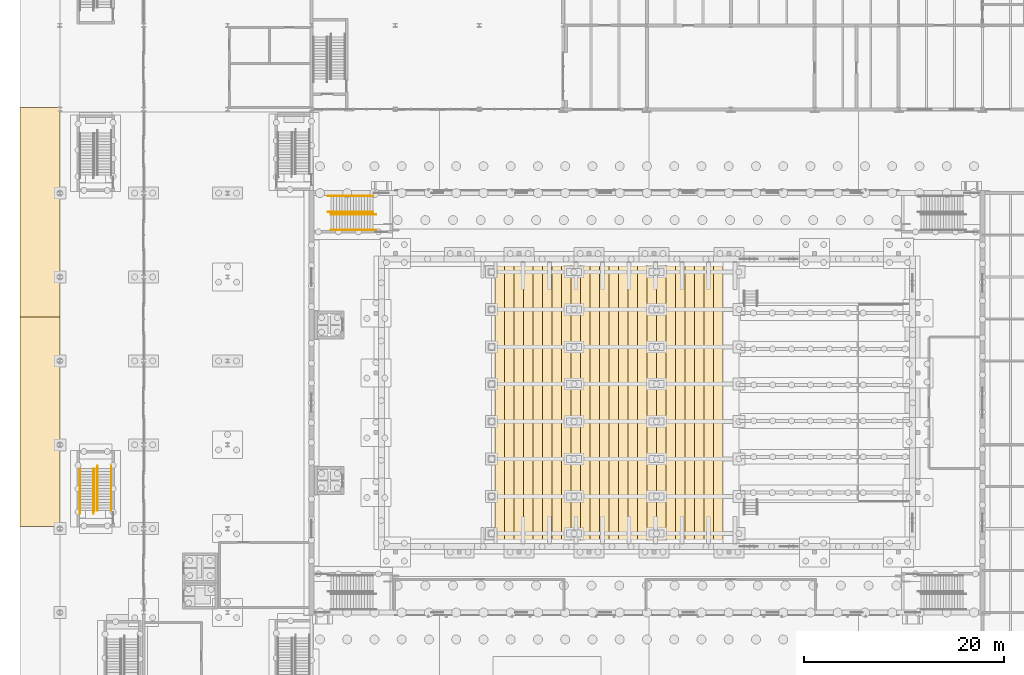
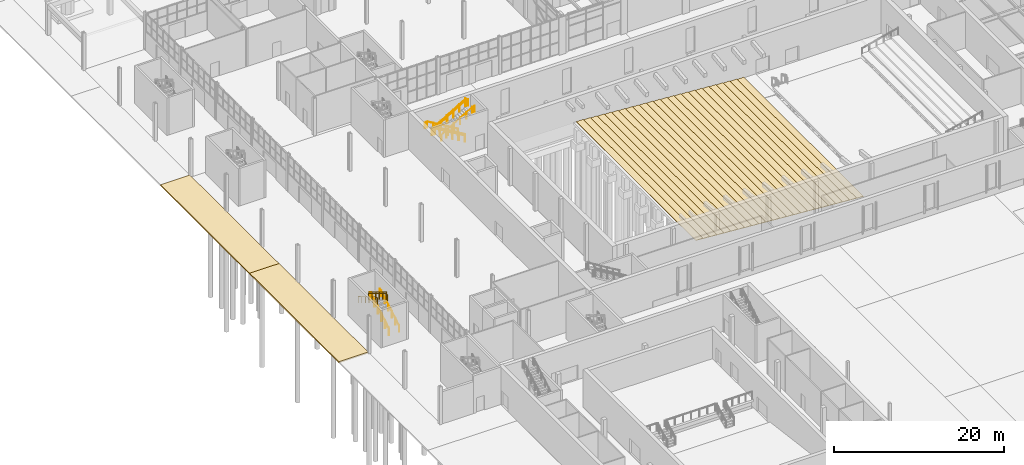
# One storey, part 105 of 127: 12 railings, 3 coverings.
"""IFC4 building model written with IfcOpenShell, lengths in metres."""

from ifc_helpers import new_model, si_unit, direction, frame, origin, origin_2d, place, context, subcontext, project, spatial, polyline, circle, outline, extrude, material, layer, layer_set, type_object, element, save


model = new_model("IFC4")

# Units and contexts
model_context = context("Model", 3, precision=1e-05, world=origin(), true_north=direction((0.0, 1.0)))
body_context = subcontext(model_context, "Body", "Model", "MODEL_VIEW")
ifc_project = project(units=[si_unit("LENGTHUNIT", "METRE"), si_unit("AREAUNIT", "SQUARE_METRE"), si_unit("VOLUMEUNIT", "CUBIC_METRE"), si_unit("PLANEANGLEUNIT", "RADIAN"), si_unit("MASSUNIT", "GRAM", prefix="KILO")], contexts=[model_context])

# Site, building, storey
site_placement = place(None, origin())
site = spatial("IfcSite", under=ifc_project, at=site_placement, CompositionType="ELEMENT")
building_placement = place(site_placement, origin())
building = spatial("IfcBuilding", under=site, at=building_placement, Name="Ljudholm Concert House", CompositionType="ELEMENT")
storey_placement = place(building_placement, origin())
storey = spatial("IfcBuildingStorey", under=building, at=storey_placement, Name="L00", CompositionType="ELEMENT", Elevation=0.0)

# Railings
ifc_material_1 = material(Name="Steel ASTM A36", Category="steel")
railing_type_1 = type_object("IfcRailingType", Name="GUARD 1100", PredefinedType="GUARDRAIL", material=ifc_material_1)
railing_1_placement = place(storey_placement, frame((35.35009765625, 94.47509765625, 0.168701171875)))
element("IfcRailing", 1, at=railing_1_placement, inside=storey, type_object=railing_type_1, Name="Guard", PredefinedType="GUARDRAIL", context=body_context, shape_type="SweptSolid", body=[
    extrude(circle(Radius=0.02490234375, at=origin_2d()), frame((0.0, 0.0, 1.0751953125), z_axis=(-0.856459004192, 0.0, 0.516215046409), x_axis=(0.0, -1.0, 0.0)), (0.0, 0.0, 1.0), 0.98095703125),
    extrude(circle(Radius=0.02490234375, at=origin_2d()), frame((-0.840087890625, 0.0, 1.58154296875), z_axis=(-0.856569041035, 0.0, 0.516032438845), x_axis=(0.0, -1.0, 0.0)), (0.0, 0.0, 1.0), 0.980712890625),
    extrude(circle(Radius=0.02490234375, at=origin_2d()), frame((-1.68017578125, 0.0, 2.08740234375), z_axis=(-0.856392657067, 0.0, 0.516325107778), x_axis=(0.0, -1.0, 0.0)), (0.0, 0.0, 1.0), 0.980712890625),
    extrude(circle(Radius=0.02490234375, at=origin_2d()), frame((-2.52001953125, 0.0, 2.59375), z_axis=(-0.856459004192, 0.0, 0.516215046409), x_axis=(0.0, -1.0, 0.0)), (0.0, 0.0, 1.0), 0.98095703125),
    extrude(circle(Radius=0.02490234375, at=origin_2d()), frame((-3.360107421875, 0.0, 3.10009765625), z_axis=(-0.856569041035, 0.0, 0.516032438845), x_axis=(0.0, -1.0, 0.0)), (0.0, 0.0, 1.0), 0.980712890625),
    extrude(circle(Radius=0.02099609375, at=origin_2d()), origin(), (0.0, 0.0, 1.0), 1.050048828125),
    extrude(circle(Radius=0.02099609375, at=origin_2d()), frame((-0.840087890625, 0.0, 0.50634765625)), (0.0, 0.0, 1.0), 1.050048828125),
    extrude(circle(Radius=0.02099609375, at=origin_2d()), frame((-1.68017578125, 0.0, 1.012451171875)), (0.0, 0.0, 1.0), 1.050048828125),
    extrude(circle(Radius=0.02099609375, at=origin_2d()), frame((-2.52001953125, 0.0, 1.518798828125)), (0.0, 0.0, 1.0), 1.050048828125),
    extrude(circle(Radius=0.02099609375, at=origin_2d()), frame((-3.360107421875, 0.0, 2.025146484375)), (0.0, 0.0, 1.0), 1.050048828125),
    extrude(circle(Radius=0.02099609375, at=origin_2d()), frame((-4.2001953125, 0.0, 2.53125)), (0.0, 0.0, 1.0), 1.050048828125),
])
railing_2_placement = place(storey_placement, frame((31.14990234375, 94.324951171875, 2.86865234375)))
element("IfcRailing", 2, at=railing_2_placement, inside=storey, type_object=railing_type_1, Name="Guard", PredefinedType="GUARDRAIL", context=body_context, shape_type="SweptSolid", body=[
    extrude(circle(Radius=0.02490234375, at=origin_2d()), frame((0.0, 0.0, 1.0751953125), z_axis=(0.856459004192, 0.0, 0.516215046409), x_axis=(0.0, 1.0, 0.0)), (0.0, 0.0, 1.0), 0.98095703125),
    extrude(circle(Radius=0.02490234375, at=origin_2d()), frame((0.840087890625, 0.0, 1.58154296875), z_axis=(0.856459004192, 0.0, 0.516215046409), x_axis=(0.0, 1.0, 0.0)), (0.0, 0.0, 1.0), 0.98095703125),
    extrude(circle(Radius=0.02490234375, at=origin_2d()), frame((1.68017578125, 0.0, 2.087890625), z_axis=(0.856502732318, 0.0, 0.516142489563), x_axis=(0.0, 1.0, 0.0)), (0.0, 0.0, 1.0), 0.98046875),
    extrude(circle(Radius=0.02490234375, at=origin_2d()), frame((2.52001953125, 0.0, 2.59375), z_axis=(0.856459004192, 0.0, 0.516215046409), x_axis=(0.0, 1.0, 0.0)), (0.0, 0.0, 1.0), 0.98095703125),
    extrude(circle(Radius=0.02490234375, at=origin_2d()), frame((3.360107421875, 0.0, 3.10009765625), z_axis=(0.856569041035, 0.0, 0.516032438845), x_axis=(0.0, 1.0, 0.0)), (0.0, 0.0, 1.0), 0.980712890625),
    extrude(circle(Radius=0.02099609375, at=origin_2d()), origin(), (0.0, 0.0, 1.0), 1.050048828125),
    extrude(circle(Radius=0.02099609375, at=origin_2d()), frame((0.840087890625, 0.0, 0.50634765625)), (0.0, 0.0, 1.0), 1.050048828125),
    extrude(circle(Radius=0.02099609375, at=origin_2d()), frame((1.68017578125, 0.0, 1.0126953125)), (0.0, 0.0, 1.0), 1.050048828125),
    extrude(circle(Radius=0.02099609375, at=origin_2d()), frame((2.52001953125, 0.0, 1.518798828125)), (0.0, 0.0, 1.0), 1.050048828125),
    extrude(circle(Radius=0.02099609375, at=origin_2d()), frame((3.360107421875, 0.0, 2.025146484375)), (0.0, 0.0, 1.0), 1.050048828125),
    extrude(circle(Radius=0.02099609375, at=origin_2d()), frame((4.2001953125, 0.0, 2.53125)), (0.0, 0.0, 1.0), 1.050048828125),
])
railing_3_placement = place(storey_placement, frame((7.72509765625, 64.60009765625, 0.168701171875)))
element("IfcRailing", 3, at=railing_3_placement, inside=storey, type_object=railing_type_1, Name="Guard", PredefinedType="GUARDRAIL", context=body_context, shape_type="SweptSolid", body=[
    extrude(circle(Radius=0.02490234375, at=origin_2d()), frame((0.0, 0.0, 1.0751953125), z_axis=(0.0, 0.856392657067, 0.516325107778), x_axis=(-1.0, 0.0, 0.0)), (0.0, 0.0, 1.0), 0.980712890625),
    extrude(circle(Radius=0.02490234375, at=origin_2d()), frame((0.0, 0.83984375, 1.58154296875), z_axis=(0.0, 0.856569041035, 0.516032438845), x_axis=(-1.0, 0.0, 0.0)), (0.0, 0.0, 1.0), 0.980712890625),
    extrude(circle(Radius=0.02490234375, at=origin_2d()), frame((0.0, 1.679931640625, 2.08740234375), z_axis=(0.0, 0.856459004192, 0.516215046409), x_axis=(-1.0, 0.0, 0.0)), (0.0, 0.0, 1.0), 0.98095703125),
    extrude(circle(Radius=0.02490234375, at=origin_2d()), frame((0.0, 2.52001953125, 2.59375), z_axis=(0.0, 0.856392657067, 0.516325107778), x_axis=(-1.0, 0.0, 0.0)), (0.0, 0.0, 1.0), 0.980712890625),
    extrude(circle(Radius=0.02490234375, at=origin_2d()), frame((0.0, 3.35986328125, 3.10009765625), z_axis=(0.0, 0.856569041035, 0.516032438845), x_axis=(-1.0, 0.0, 0.0)), (0.0, 0.0, 1.0), 0.980712890625),
    extrude(circle(Radius=0.02099609375, at=origin_2d()), origin(), (0.0, 0.0, 1.0), 1.050048828125),
    extrude(circle(Radius=0.02099609375, at=origin_2d()), frame((0.0, 0.83984375, 0.50634765625)), (0.0, 0.0, 1.0), 1.050048828125),
    extrude(circle(Radius=0.02099609375, at=origin_2d()), frame((0.0, 1.679931640625, 1.012451171875)), (0.0, 0.0, 1.0), 1.050048828125),
    extrude(circle(Radius=0.02099609375, at=origin_2d()), frame((0.0, 2.52001953125, 1.518798828125)), (0.0, 0.0, 1.0), 1.050048828125),
    extrude(circle(Radius=0.02099609375, at=origin_2d()), frame((0.0, 3.35986328125, 2.025146484375)), (0.0, 0.0, 1.0), 1.050048828125),
    extrude(circle(Radius=0.02099609375, at=origin_2d()), frame((0.0, 4.199951171875, 2.53125)), (0.0, 0.0, 1.0), 1.050048828125),
])
railing_4_placement = place(storey_placement, frame((7.425048828125, 68.800048828125, 2.86865234375)))
element("IfcRailing", 4, at=railing_4_placement, inside=storey, type_object=railing_type_1, Name="Guard", PredefinedType="GUARDRAIL", context=body_context, shape_type="SweptSolid", body=[
    extrude(circle(Radius=0.02490234375, at=origin_2d()), frame((0.0, 0.0, 1.0751953125), z_axis=(0.0, -0.856459004192, 0.516215046409), x_axis=(1.0, 0.0, 0.0)), (0.0, 0.0, 1.0), 0.98095703125),
    extrude(circle(Radius=0.02490234375, at=origin_2d()), frame((0.0, -0.840087890625, 1.58154296875), z_axis=(0.0, -0.856392657067, 0.516325107778), x_axis=(1.0, 0.0, 0.0)), (0.0, 0.0, 1.0), 0.980712890625),
    extrude(circle(Radius=0.02490234375, at=origin_2d()), frame((0.0, -1.679931640625, 2.087890625), z_axis=(0.0, -0.856569041035, 0.516032438845), x_axis=(1.0, 0.0, 0.0)), (0.0, 0.0, 1.0), 0.980712890625),
    extrude(circle(Radius=0.02490234375, at=origin_2d()), frame((0.0, -2.52001953125, 2.59375), z_axis=(0.0, -0.856459004192, 0.516215046409), x_axis=(1.0, 0.0, 0.0)), (0.0, 0.0, 1.0), 0.98095703125),
    extrude(circle(Radius=0.02490234375, at=origin_2d()), frame((0.0, -3.360107421875, 3.10009765625), z_axis=(0.0, -0.856502732318, 0.516142489563), x_axis=(1.0, 0.0, 0.0)), (0.0, 0.0, 1.0), 0.98046875),
    extrude(circle(Radius=0.02099609375, at=origin_2d()), origin(), (0.0, 0.0, 1.0), 1.050048828125),
    extrude(circle(Radius=0.02099609375, at=origin_2d()), frame((0.0, -0.840087890625, 0.50634765625)), (0.0, 0.0, 1.0), 1.050048828125),
    extrude(circle(Radius=0.02099609375, at=origin_2d()), frame((0.0, -1.679931640625, 1.0126953125)), (0.0, 0.0, 1.0), 1.050048828125),
    extrude(circle(Radius=0.02099609375, at=origin_2d()), frame((0.0, -2.52001953125, 1.518798828125)), (0.0, 0.0, 1.0), 1.050048828125),
    extrude(circle(Radius=0.02099609375, at=origin_2d()), frame((0.0, -3.360107421875, 2.025146484375)), (0.0, 0.0, 1.0), 1.050048828125),
    extrude(circle(Radius=0.02099609375, at=origin_2d()), frame((0.0, -4.199951171875, 2.53125)), (0.0, 0.0, 1.0), 1.050048828125),
])
ifc_material_2 = material(Name="Steel ASTM A36", Category="steel")
railing_type_2 = type_object("IfcRailingType", Name="HANDRAIL 900", PredefinedType="HANDRAIL", material=ifc_material_2)
railing_5_placement = place(storey_placement, frame((35.35009765625, 94.52490234375, 0.168701171875)))
element("IfcRailing", 5, at=railing_5_placement, inside=storey, type_object=railing_type_2, Name="Handrail", PredefinedType="HANDRAIL", context=body_context, shape_type="SweptSolid", body=[
    extrude(circle(Radius=0.0224609375, at=origin_2d()), frame((0.0, 0.0, 0.87744140625), z_axis=(-0.856459004192, 0.0, 0.516215046409), x_axis=(0.0, -1.0, 0.0)), (0.0, 0.0, 1.0), 0.98095703125),
    extrude(circle(Radius=0.0224609375, at=origin_2d()), frame((-0.840087890625, 0.0, 1.3837890625), z_axis=(-0.856569041035, 0.0, 0.516032438845), x_axis=(0.0, -1.0, 0.0)), (0.0, 0.0, 1.0), 0.980712890625),
    extrude(circle(Radius=0.0224609375, at=origin_2d()), frame((-1.68017578125, 0.0, 1.889892578125), z_axis=(-0.856392657067, 0.0, 0.516325107778), x_axis=(0.0, -1.0, 0.0)), (0.0, 0.0, 1.0), 0.980712890625),
    extrude(circle(Radius=0.0224609375, at=origin_2d()), frame((-2.52001953125, 0.0, 2.396240234375), z_axis=(-0.856459004192, 0.0, 0.516215046409), x_axis=(0.0, -1.0, 0.0)), (0.0, 0.0, 1.0), 0.98095703125),
    extrude(circle(Radius=0.0224609375, at=origin_2d()), frame((-3.360107421875, 0.0, 2.902587890625), z_axis=(-0.856569041035, 0.0, 0.516032438845), x_axis=(0.0, -1.0, 0.0)), (0.0, 0.0, 1.0), 0.980712890625),
    extrude(circle(Radius=0.0224609375, at=origin_2d()), frame((-4.2001953125, 0.0, 3.40869140625), z_axis=(-1.0, 0.0, 0.0), x_axis=(0.0, -1.0, 0.0)), (0.0, 0.0, 1.0), 0.2998046875),
    extrude(circle(Radius=0.02099609375, at=origin_2d()), origin(), (0.0, 0.0, 1.0), 0.85498046875),
    extrude(circle(Radius=0.02099609375, at=origin_2d()), frame((-0.840087890625, 0.0, 0.50634765625)), (0.0, 0.0, 1.0), 0.85498046875),
    extrude(circle(Radius=0.02099609375, at=origin_2d()), frame((-1.68017578125, 0.0, 1.012451171875)), (0.0, 0.0, 1.0), 0.85498046875),
    extrude(circle(Radius=0.02099609375, at=origin_2d()), frame((-2.52001953125, 0.0, 1.518798828125)), (0.0, 0.0, 1.0), 0.85498046875),
    extrude(circle(Radius=0.02099609375, at=origin_2d()), frame((-3.360107421875, 0.0, 2.025146484375)), (0.0, 0.0, 1.0), 0.85498046875),
    extrude(circle(Radius=0.02099609375, at=origin_2d()), frame((-4.2001953125, 0.0, 2.53125)), (0.0, 0.0, 1.0), 0.85498046875),
    extrude(circle(Radius=0.02099609375, at=origin_2d()), frame((-4.5, 0.0, 2.53125)), (0.0, 0.0, 1.0), 0.85498046875),
])
railing_6_placement = place(storey_placement, frame((35.35009765625, 96.10009765625, 0.168701171875)))
element("IfcRailing", 6, at=railing_6_placement, inside=storey, type_object=railing_type_2, Name="Handrail", PredefinedType="HANDRAIL", context=body_context, shape_type="SweptSolid", body=[
    extrude(circle(Radius=0.0224609375, at=origin_2d()), frame((0.0, 0.0, 0.87744140625), z_axis=(-0.856459004192, 0.0, 0.516215046409), x_axis=(0.0, -1.0, 0.0)), (0.0, 0.0, 1.0), 0.98095703125),
    extrude(circle(Radius=0.0224609375, at=origin_2d()), frame((-0.840087890625, 0.0, 1.3837890625), z_axis=(-0.856569041035, 0.0, 0.516032438845), x_axis=(0.0, -1.0, 0.0)), (0.0, 0.0, 1.0), 0.980712890625),
    extrude(circle(Radius=0.0224609375, at=origin_2d()), frame((-1.68017578125, 0.0, 1.889892578125), z_axis=(-0.856392657067, 0.0, 0.516325107778), x_axis=(0.0, -1.0, 0.0)), (0.0, 0.0, 1.0), 0.980712890625),
    extrude(circle(Radius=0.0224609375, at=origin_2d()), frame((-2.52001953125, 0.0, 2.396240234375), z_axis=(-0.856459004192, 0.0, 0.516215046409), x_axis=(0.0, -1.0, 0.0)), (0.0, 0.0, 1.0), 0.98095703125),
    extrude(circle(Radius=0.0224609375, at=origin_2d()), frame((-3.360107421875, 0.0, 2.902587890625), z_axis=(-0.856569041035, 0.0, 0.516032438845), x_axis=(0.0, -1.0, 0.0)), (0.0, 0.0, 1.0), 0.980712890625),
    extrude(circle(Radius=0.0224609375, at=origin_2d()), frame((-4.2001953125, 0.0, 3.40869140625), z_axis=(-1.0, 0.0, 0.0), x_axis=(0.0, -1.0, 0.0)), (0.0, 0.0, 1.0), 0.2998046875),
    extrude(circle(Radius=0.02099609375, at=origin_2d()), origin(), (0.0, 0.0, 1.0), 0.85498046875),
    extrude(circle(Radius=0.02099609375, at=origin_2d()), frame((-0.840087890625, 0.0, 0.50634765625)), (0.0, 0.0, 1.0), 0.85498046875),
    extrude(circle(Radius=0.02099609375, at=origin_2d()), frame((-1.68017578125, 0.0, 1.012451171875)), (0.0, 0.0, 1.0), 0.85498046875),
    extrude(circle(Radius=0.02099609375, at=origin_2d()), frame((-2.52001953125, 0.0, 1.518798828125)), (0.0, 0.0, 1.0), 0.85498046875),
    extrude(circle(Radius=0.02099609375, at=origin_2d()), frame((-3.360107421875, 0.0, 2.025146484375)), (0.0, 0.0, 1.0), 0.85498046875),
    extrude(circle(Radius=0.02099609375, at=origin_2d()), frame((-4.2001953125, 0.0, 2.53125)), (0.0, 0.0, 1.0), 0.85498046875),
    extrude(circle(Radius=0.02099609375, at=origin_2d()), frame((-4.5, 0.0, 2.53125)), (0.0, 0.0, 1.0), 0.85498046875),
])
railing_7_placement = place(storey_placement, frame((31.14990234375, 94.27490234375, 2.86865234375)))
element("IfcRailing", 7, at=railing_7_placement, inside=storey, type_object=railing_type_2, Name="Handrail", PredefinedType="HANDRAIL", context=body_context, shape_type="SweptSolid", body=[
    extrude(circle(Radius=0.0224609375, at=origin_2d()), frame((0.0, 0.0, 0.87744140625), z_axis=(0.856459004192, 0.0, 0.516215046409), x_axis=(0.0, 1.0, 0.0)), (0.0, 0.0, 1.0), 0.98095703125),
    extrude(circle(Radius=0.0224609375, at=origin_2d()), frame((0.840087890625, 0.0, 1.3837890625), z_axis=(0.856459004192, 0.0, 0.516215046409), x_axis=(0.0, 1.0, 0.0)), (0.0, 0.0, 1.0), 0.98095703125),
    extrude(circle(Radius=0.0224609375, at=origin_2d()), frame((1.68017578125, 0.0, 1.89013671875), z_axis=(0.856502732318, 0.0, 0.516142489563), x_axis=(0.0, 1.0, 0.0)), (0.0, 0.0, 1.0), 0.98046875),
    extrude(circle(Radius=0.0224609375, at=origin_2d()), frame((2.52001953125, 0.0, 2.396240234375), z_axis=(0.856459004192, 0.0, 0.516215046409), x_axis=(0.0, 1.0, 0.0)), (0.0, 0.0, 1.0), 0.98095703125),
    extrude(circle(Radius=0.0224609375, at=origin_2d()), frame((3.360107421875, 0.0, 2.902587890625), z_axis=(0.856569041035, 0.0, 0.516032438845), x_axis=(0.0, 1.0, 0.0)), (0.0, 0.0, 1.0), 0.980712890625),
    extrude(circle(Radius=0.0224609375, at=origin_2d()), frame((4.2001953125, 0.0, 3.40869140625), z_axis=(1.0, 0.0, 0.0), x_axis=(0.0, 1.0, 0.0)), (0.0, 0.0, 1.0), 0.2998046875),
    extrude(circle(Radius=0.02099609375, at=origin_2d()), origin(), (0.0, 0.0, 1.0), 0.85498046875),
    extrude(circle(Radius=0.02099609375, at=origin_2d()), frame((0.840087890625, 0.0, 0.50634765625)), (0.0, 0.0, 1.0), 0.85498046875),
    extrude(circle(Radius=0.02099609375, at=origin_2d()), frame((1.68017578125, 0.0, 1.0126953125)), (0.0, 0.0, 1.0), 0.85498046875),
    extrude(circle(Radius=0.02099609375, at=origin_2d()), frame((2.52001953125, 0.0, 1.518798828125)), (0.0, 0.0, 1.0), 0.85498046875),
    extrude(circle(Radius=0.02099609375, at=origin_2d()), frame((3.360107421875, 0.0, 2.025146484375)), (0.0, 0.0, 1.0), 0.85498046875),
    extrude(circle(Radius=0.02099609375, at=origin_2d()), frame((4.2001953125, 0.0, 2.53125)), (0.0, 0.0, 1.0), 0.85498046875),
    extrude(circle(Radius=0.02099609375, at=origin_2d()), frame((4.5, 0.0, 2.53125)), (0.0, 0.0, 1.0), 0.85498046875),
])
railing_8_placement = place(storey_placement, frame((31.14990234375, 92.699951171875, 2.86865234375)))
element("IfcRailing", 8, at=railing_8_placement, inside=storey, type_object=railing_type_2, Name="Handrail", PredefinedType="HANDRAIL", context=body_context, shape_type="SweptSolid", body=[
    extrude(circle(Radius=0.0224609375, at=origin_2d()), frame((0.0, 0.0, 0.87744140625), z_axis=(0.856459004192, 0.0, 0.516215046409), x_axis=(0.0, 1.0, 0.0)), (0.0, 0.0, 1.0), 0.98095703125),
    extrude(circle(Radius=0.0224609375, at=origin_2d()), frame((0.840087890625, 0.0, 1.3837890625), z_axis=(0.856459004192, 0.0, 0.516215046409), x_axis=(0.0, 1.0, 0.0)), (0.0, 0.0, 1.0), 0.98095703125),
    extrude(circle(Radius=0.0224609375, at=origin_2d()), frame((1.68017578125, 0.0, 1.89013671875), z_axis=(0.856502732318, 0.0, 0.516142489563), x_axis=(0.0, 1.0, 0.0)), (0.0, 0.0, 1.0), 0.98046875),
    extrude(circle(Radius=0.0224609375, at=origin_2d()), frame((2.52001953125, 0.0, 2.396240234375), z_axis=(0.856459004192, 0.0, 0.516215046409), x_axis=(0.0, 1.0, 0.0)), (0.0, 0.0, 1.0), 0.98095703125),
    extrude(circle(Radius=0.0224609375, at=origin_2d()), frame((3.360107421875, 0.0, 2.902587890625), z_axis=(0.856569041035, 0.0, 0.516032438845), x_axis=(0.0, 1.0, 0.0)), (0.0, 0.0, 1.0), 0.980712890625),
    extrude(circle(Radius=0.0224609375, at=origin_2d()), frame((4.2001953125, 0.0, 3.40869140625), z_axis=(1.0, 0.0, 0.0), x_axis=(0.0, 1.0, 0.0)), (0.0, 0.0, 1.0), 0.2998046875),
    extrude(circle(Radius=0.02099609375, at=origin_2d()), origin(), (0.0, 0.0, 1.0), 0.85498046875),
    extrude(circle(Radius=0.02099609375, at=origin_2d()), frame((0.840087890625, 0.0, 0.50634765625)), (0.0, 0.0, 1.0), 0.85498046875),
    extrude(circle(Radius=0.02099609375, at=origin_2d()), frame((1.68017578125, 0.0, 1.0126953125)), (0.0, 0.0, 1.0), 0.85498046875),
    extrude(circle(Radius=0.02099609375, at=origin_2d()), frame((2.52001953125, 0.0, 1.518798828125)), (0.0, 0.0, 1.0), 0.85498046875),
    extrude(circle(Radius=0.02099609375, at=origin_2d()), frame((3.360107421875, 0.0, 2.025146484375)), (0.0, 0.0, 1.0), 0.85498046875),
    extrude(circle(Radius=0.02099609375, at=origin_2d()), frame((4.2001953125, 0.0, 2.53125)), (0.0, 0.0, 1.0), 0.85498046875),
    extrude(circle(Radius=0.02099609375, at=origin_2d()), frame((4.5, 0.0, 2.53125)), (0.0, 0.0, 1.0), 0.85498046875),
])
railing_9_placement = place(storey_placement, frame((7.77490234375, 64.60009765625, 0.168701171875)))
element("IfcRailing", 9, at=railing_9_placement, inside=storey, type_object=railing_type_2, Name="Handrail", PredefinedType="HANDRAIL", context=body_context, shape_type="SweptSolid", body=[
    extrude(circle(Radius=0.0224609375, at=origin_2d()), frame((0.0, 0.0, 0.87744140625), z_axis=(0.0, 0.856392657067, 0.516325107778), x_axis=(-1.0, 0.0, 0.0)), (0.0, 0.0, 1.0), 0.980712890625),
    extrude(circle(Radius=0.0224609375, at=origin_2d()), frame((0.0, 0.83984375, 1.3837890625), z_axis=(0.0, 0.856569041035, 0.516032438845), x_axis=(-1.0, 0.0, 0.0)), (0.0, 0.0, 1.0), 0.980712890625),
    extrude(circle(Radius=0.0224609375, at=origin_2d()), frame((0.0, 1.679931640625, 1.889892578125), z_axis=(0.0, 0.856459004192, 0.516215046409), x_axis=(-1.0, 0.0, 0.0)), (0.0, 0.0, 1.0), 0.98095703125),
    extrude(circle(Radius=0.0224609375, at=origin_2d()), frame((0.0, 2.52001953125, 2.396240234375), z_axis=(0.0, 0.856392657067, 0.516325107778), x_axis=(-1.0, 0.0, 0.0)), (0.0, 0.0, 1.0), 0.980712890625),
    extrude(circle(Radius=0.0224609375, at=origin_2d()), frame((0.0, 3.35986328125, 2.902587890625), z_axis=(0.0, 0.856569041035, 0.516032438845), x_axis=(-1.0, 0.0, 0.0)), (0.0, 0.0, 1.0), 0.980712890625),
    extrude(circle(Radius=0.0224609375, at=origin_2d()), frame((0.0, 4.199951171875, 3.40869140625), z_axis=(0.0, 1.0, 0.0), x_axis=(-1.0, 0.0, 0.0)), (0.0, 0.0, 1.0), 0.300048828125),
    extrude(circle(Radius=0.02099609375, at=origin_2d()), origin(), (0.0, 0.0, 1.0), 0.85498046875),
    extrude(circle(Radius=0.02099609375, at=origin_2d()), frame((0.0, 0.83984375, 0.50634765625)), (0.0, 0.0, 1.0), 0.85498046875),
    extrude(circle(Radius=0.02099609375, at=origin_2d()), frame((0.0, 1.679931640625, 1.012451171875)), (0.0, 0.0, 1.0), 0.85498046875),
    extrude(circle(Radius=0.02099609375, at=origin_2d()), frame((0.0, 2.52001953125, 1.518798828125)), (0.0, 0.0, 1.0), 0.85498046875),
    extrude(circle(Radius=0.02099609375, at=origin_2d()), frame((0.0, 3.35986328125, 2.025146484375)), (0.0, 0.0, 1.0), 0.85498046875),
    extrude(circle(Radius=0.02099609375, at=origin_2d()), frame((0.0, 4.199951171875, 2.53125)), (0.0, 0.0, 1.0), 0.85498046875),
    extrude(circle(Radius=0.02099609375, at=origin_2d()), frame((0.0, 4.5, 2.53125)), (0.0, 0.0, 1.0), 0.85498046875),
])
railing_10_placement = place(storey_placement, frame((9.14990234375, 64.60009765625, 0.168701171875)))
element("IfcRailing", 10, at=railing_10_placement, inside=storey, type_object=railing_type_2, Name="Handrail", PredefinedType="HANDRAIL", context=body_context, shape_type="SweptSolid", body=[
    extrude(circle(Radius=0.0224609375, at=origin_2d()), frame((0.0, 0.0, 0.87744140625), z_axis=(0.0, 0.856392657067, 0.516325107778), x_axis=(-1.0, 0.0, 0.0)), (0.0, 0.0, 1.0), 0.980712890625),
    extrude(circle(Radius=0.0224609375, at=origin_2d()), frame((0.0, 0.83984375, 1.3837890625), z_axis=(0.0, 0.856569041035, 0.516032438845), x_axis=(-1.0, 0.0, 0.0)), (0.0, 0.0, 1.0), 0.980712890625),
    extrude(circle(Radius=0.0224609375, at=origin_2d()), frame((0.0, 1.679931640625, 1.889892578125), z_axis=(0.0, 0.856459004192, 0.516215046409), x_axis=(-1.0, 0.0, 0.0)), (0.0, 0.0, 1.0), 0.98095703125),
    extrude(circle(Radius=0.0224609375, at=origin_2d()), frame((0.0, 2.52001953125, 2.396240234375), z_axis=(0.0, 0.856392657067, 0.516325107778), x_axis=(-1.0, 0.0, 0.0)), (0.0, 0.0, 1.0), 0.980712890625),
    extrude(circle(Radius=0.0224609375, at=origin_2d()), frame((0.0, 3.35986328125, 2.902587890625), z_axis=(0.0, 0.856569041035, 0.516032438845), x_axis=(-1.0, 0.0, 0.0)), (0.0, 0.0, 1.0), 0.980712890625),
    extrude(circle(Radius=0.0224609375, at=origin_2d()), frame((0.0, 4.199951171875, 3.40869140625), z_axis=(0.0, 1.0, 0.0), x_axis=(-1.0, 0.0, 0.0)), (0.0, 0.0, 1.0), 0.300048828125),
    extrude(circle(Radius=0.02099609375, at=origin_2d()), origin(), (0.0, 0.0, 1.0), 0.85498046875),
    extrude(circle(Radius=0.02099609375, at=origin_2d()), frame((0.0, 0.83984375, 0.50634765625)), (0.0, 0.0, 1.0), 0.85498046875),
    extrude(circle(Radius=0.02099609375, at=origin_2d()), frame((0.0, 1.679931640625, 1.012451171875)), (0.0, 0.0, 1.0), 0.85498046875),
    extrude(circle(Radius=0.02099609375, at=origin_2d()), frame((0.0, 2.52001953125, 1.518798828125)), (0.0, 0.0, 1.0), 0.85498046875),
    extrude(circle(Radius=0.02099609375, at=origin_2d()), frame((0.0, 3.35986328125, 2.025146484375)), (0.0, 0.0, 1.0), 0.85498046875),
    extrude(circle(Radius=0.02099609375, at=origin_2d()), frame((0.0, 4.199951171875, 2.53125)), (0.0, 0.0, 1.0), 0.85498046875),
    extrude(circle(Radius=0.02099609375, at=origin_2d()), frame((0.0, 4.5, 2.53125)), (0.0, 0.0, 1.0), 0.85498046875),
])
railing_11_placement = place(storey_placement, frame((7.375, 68.800048828125, 2.86865234375)))
element("IfcRailing", 11, at=railing_11_placement, inside=storey, type_object=railing_type_2, Name="Handrail", PredefinedType="HANDRAIL", context=body_context, shape_type="SweptSolid", body=[
    extrude(circle(Radius=0.0224609375, at=origin_2d()), frame((0.0, 0.0, 0.87744140625), z_axis=(0.0, -0.856459004192, 0.516215046409), x_axis=(1.0, 0.0, 0.0)), (0.0, 0.0, 1.0), 0.98095703125),
    extrude(circle(Radius=0.0224609375, at=origin_2d()), frame((0.0, -0.840087890625, 1.3837890625), z_axis=(0.0, -0.856392657067, 0.516325107778), x_axis=(1.0, 0.0, 0.0)), (0.0, 0.0, 1.0), 0.980712890625),
    extrude(circle(Radius=0.0224609375, at=origin_2d()), frame((0.0, -1.679931640625, 1.89013671875), z_axis=(0.0, -0.856569041035, 0.516032438845), x_axis=(1.0, 0.0, 0.0)), (0.0, 0.0, 1.0), 0.980712890625),
    extrude(circle(Radius=0.0224609375, at=origin_2d()), frame((0.0, -2.52001953125, 2.396240234375), z_axis=(0.0, -0.856459004192, 0.516215046409), x_axis=(1.0, 0.0, 0.0)), (0.0, 0.0, 1.0), 0.98095703125),
    extrude(circle(Radius=0.0224609375, at=origin_2d()), frame((0.0, -3.360107421875, 2.902587890625), z_axis=(0.0, -0.856502732318, 0.516142489563), x_axis=(1.0, 0.0, 0.0)), (0.0, 0.0, 1.0), 0.98046875),
    extrude(circle(Radius=0.0224609375, at=origin_2d()), frame((0.0, -4.199951171875, 3.40869140625), z_axis=(0.0, -1.0, 0.0), x_axis=(1.0, 0.0, 0.0)), (0.0, 0.0, 1.0), 0.300048828125),
    extrude(circle(Radius=0.02099609375, at=origin_2d()), origin(), (0.0, 0.0, 1.0), 0.85498046875),
    extrude(circle(Radius=0.02099609375, at=origin_2d()), frame((0.0, -0.840087890625, 0.50634765625)), (0.0, 0.0, 1.0), 0.85498046875),
    extrude(circle(Radius=0.02099609375, at=origin_2d()), frame((0.0, -1.679931640625, 1.0126953125)), (0.0, 0.0, 1.0), 0.85498046875),
    extrude(circle(Radius=0.02099609375, at=origin_2d()), frame((0.0, -2.52001953125, 1.518798828125)), (0.0, 0.0, 1.0), 0.85498046875),
    extrude(circle(Radius=0.02099609375, at=origin_2d()), frame((0.0, -3.360107421875, 2.025146484375)), (0.0, 0.0, 1.0), 0.85498046875),
    extrude(circle(Radius=0.02099609375, at=origin_2d()), frame((0.0, -4.199951171875, 2.53125)), (0.0, 0.0, 1.0), 0.85498046875),
    extrude(circle(Radius=0.02099609375, at=origin_2d()), frame((0.0, -4.5, 2.53125)), (0.0, 0.0, 1.0), 0.85498046875),
])
railing_12_placement = place(storey_placement, frame((6.0, 68.800048828125, 2.86865234375)))
element("IfcRailing", 12, at=railing_12_placement, inside=storey, type_object=railing_type_2, Name="Handrail", PredefinedType="HANDRAIL", context=body_context, shape_type="SweptSolid", body=[
    extrude(circle(Radius=0.0224609375, at=origin_2d()), frame((0.0, 0.0, 0.87744140625), z_axis=(0.0, -0.856459004192, 0.516215046409), x_axis=(1.0, 0.0, 0.0)), (0.0, 0.0, 1.0), 0.98095703125),
    extrude(circle(Radius=0.0224609375, at=origin_2d()), frame((0.0, -0.840087890625, 1.3837890625), z_axis=(0.0, -0.856392657067, 0.516325107778), x_axis=(1.0, 0.0, 0.0)), (0.0, 0.0, 1.0), 0.980712890625),
    extrude(circle(Radius=0.0224609375, at=origin_2d()), frame((0.0, -1.679931640625, 1.89013671875), z_axis=(0.0, -0.856569041035, 0.516032438845), x_axis=(1.0, 0.0, 0.0)), (0.0, 0.0, 1.0), 0.980712890625),
    extrude(circle(Radius=0.0224609375, at=origin_2d()), frame((0.0, -2.52001953125, 2.396240234375), z_axis=(0.0, -0.856459004192, 0.516215046409), x_axis=(1.0, 0.0, 0.0)), (0.0, 0.0, 1.0), 0.98095703125),
    extrude(circle(Radius=0.0224609375, at=origin_2d()), frame((0.0, -3.360107421875, 2.902587890625), z_axis=(0.0, -0.856502732318, 0.516142489563), x_axis=(1.0, 0.0, 0.0)), (0.0, 0.0, 1.0), 0.98046875),
    extrude(circle(Radius=0.0224609375, at=origin_2d()), frame((0.0, -4.199951171875, 3.40869140625), z_axis=(0.0, -1.0, 0.0), x_axis=(1.0, 0.0, 0.0)), (0.0, 0.0, 1.0), 0.300048828125),
    extrude(circle(Radius=0.02099609375, at=origin_2d()), origin(), (0.0, 0.0, 1.0), 0.85498046875),
    extrude(circle(Radius=0.02099609375, at=origin_2d()), frame((0.0, -0.840087890625, 0.50634765625)), (0.0, 0.0, 1.0), 0.85498046875),
    extrude(circle(Radius=0.02099609375, at=origin_2d()), frame((0.0, -1.679931640625, 1.0126953125)), (0.0, 0.0, 1.0), 0.85498046875),
    extrude(circle(Radius=0.02099609375, at=origin_2d()), frame((0.0, -2.52001953125, 1.518798828125)), (0.0, 0.0, 1.0), 0.85498046875),
    extrude(circle(Radius=0.02099609375, at=origin_2d()), frame((0.0, -3.360107421875, 2.025146484375)), (0.0, 0.0, 1.0), 0.85498046875),
    extrude(circle(Radius=0.02099609375, at=origin_2d()), frame((0.0, -4.199951171875, 2.53125)), (0.0, 0.0, 1.0), 0.85498046875),
    extrude(circle(Radius=0.02099609375, at=origin_2d()), frame((0.0, -4.5, 2.53125)), (0.0, 0.0, 1.0), 0.85498046875),
])

# Coverings
ifc_material_3 = material(Name="Precast concrete pavers on compacted sand bed", Category="concrete")
ifc_layer_1 = layer(ifc_material_3, 0.199951171875)
ifc_layer_set_1 = layer_set([ifc_layer_1], Name="Precast concrete pavers on compacted sand bed")
covering_type_1 = type_object("IfcCoveringType", Name="PRECAST CONCRETE PAVERS ON COMPACTED SAND BED PAVING 200", PredefinedType="USERDEFINED", material=ifc_layer_set_1)
covering_1_placement = place(storey_placement, frame((0.0, 0.0, -0.199951171875)))
element("IfcCovering", 13, at=covering_1_placement, inside=storey, type_object=covering_type_1, Name="Paving", ObjectType="PAVING", PredefinedType="USERDEFINED", context=body_context, shape_type="SweptSolid", body=[
    extrude(outline(polyline([(0.010009765625, 84.0), (4.0, 84.0), (4.0, 63.0), (0.010009765625, 63.0), (0.010009765625, 84.0)])), origin(), (0.0, 0.0, 1.0), 0.199951171875),
])
covering_2_placement = place(storey_placement, frame((0.0, 0.0, -0.199951171875)))
element("IfcCovering", 14, at=covering_2_placement, inside=storey, type_object=covering_type_1, Name="Paving", ObjectType="PAVING", PredefinedType="USERDEFINED", context=body_context, shape_type="SweptSolid", body=[
    extrude(outline(polyline([(0.010009765625, 105.0), (4.0, 105.0), (4.0, 84.0), (0.010009765625, 84.0), (0.010009765625, 105.0)])), origin(), (0.0, 0.0, 1.0), 0.199951171875),
])
ifc_material_4 = material(Name="Timber seating tread", Category="wood")
ifc_layer_2 = layer(ifc_material_4, 0.030029296875)
ifc_layer_set_2 = layer_set([ifc_layer_2], Name="Timber seating tread")
covering_type_2 = type_object("IfcCoveringType", Name="TIMBER SEATING TREAD FLOOR FINISH 30", PredefinedType="FLOORING", material=ifc_layer_set_2)
covering_3_placement = place(storey_placement, frame((70.39990234375, 75.39990234375, 0.0), z_axis=(0.0, 0.0, 1.0), x_axis=(-1.0, 0.0, 0.0)))
element("IfcCovering", 15, at=covering_3_placement, inside=storey, type_object=covering_type_2, Name="Stalls seating steps", PredefinedType="FLOORING", context=body_context, shape_type="SweptSolid", body=[
    extrude(outline(polyline([(0.0, 0.116455078125), (22.800048828125, 1.774658203125), (22.800048828125, 1.804443359375), (21.85009765625, 1.804443359375), (21.85009765625, 1.7353515625), (20.89990234375, 1.7353515625), (20.89990234375, 1.666259765625), (19.949951171875, 1.666259765625), (19.949951171875, 1.59716796875), (19.0, 1.59716796875), (19.0, 1.528076171875), (18.050048828125, 1.528076171875), (18.050048828125, 1.458984375), (17.10009765625, 1.458984375), (17.10009765625, 1.389892578125), (16.14990234375, 1.389892578125), (16.14990234375, 1.32080078125), (15.199951171875, 1.32080078125), (15.199951171875, 1.251708984375), (14.25, 1.251708984375), (14.25, 1.1826171875), (13.300048828125, 1.1826171875), (13.300048828125, 1.113525390625), (12.35009765625, 1.113525390625), (12.35009765625, 1.04443359375), (11.39990234375, 1.04443359375), (11.39990234375, 0.975341796875), (10.449951171875, 0.975341796875), (10.449951171875, 0.90625), (9.5, 0.90625), (9.5, 0.837158203125), (8.550048828125, 0.837158203125), (8.550048828125, 0.76806640625), (7.60009765625, 0.76806640625), (7.60009765625, 0.698974609375), (6.64990234375, 0.698974609375), (6.64990234375, 0.6298828125), (5.699951171875, 0.6298828125), (5.699951171875, 0.560791015625), (4.75, 0.560791015625), (4.75, 0.49169921875), (3.800048828125, 0.49169921875), (3.800048828125, 0.422607421875), (2.85009765625, 0.422607421875), (2.85009765625, 0.353515625), (1.89990234375, 0.353515625), (1.89990234375, 0.284423828125), (0.949951171875, 0.284423828125), (0.949951171875, 0.215576171875), (0.0, 0.215576171875), (0.0, 0.116455078125)])), frame((0.0, 14.10009765625, 0.0), z_axis=(0.0, -1.0, 0.0), x_axis=(1.0, 0.0, 0.0)), (0.0, 0.0, 1.0), 28.199951171875),
])

save(model, "model.ifc")
